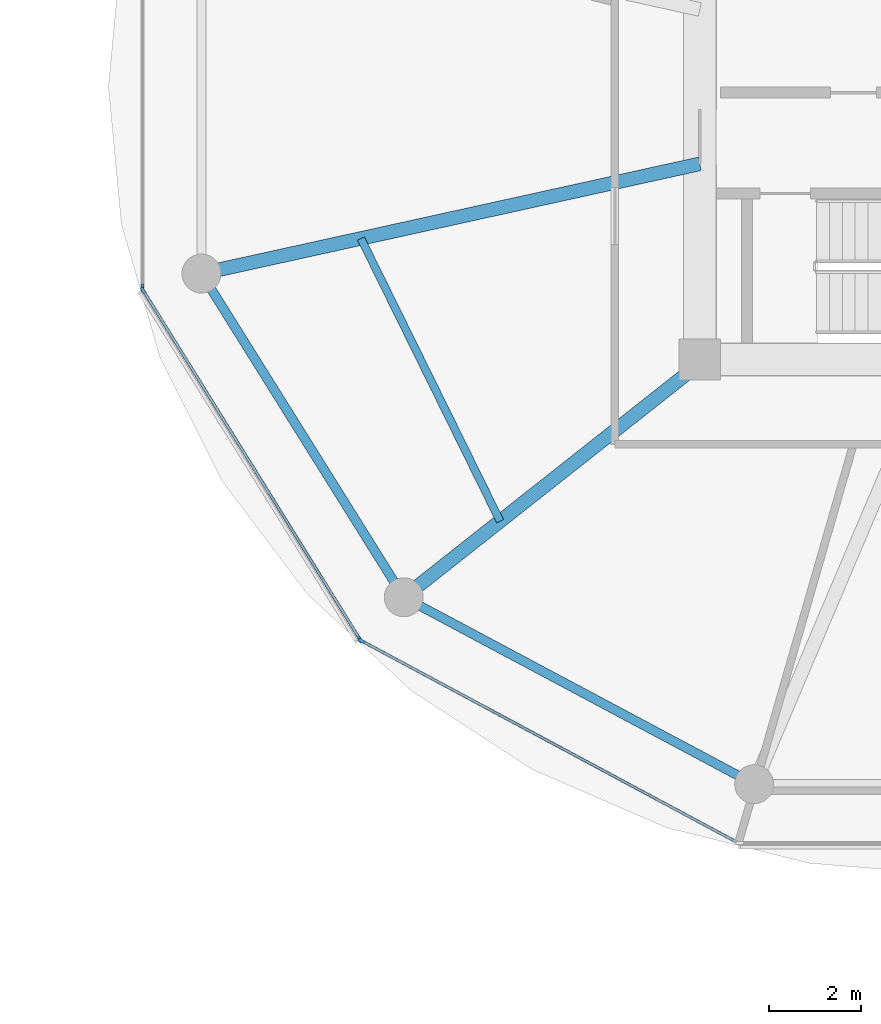
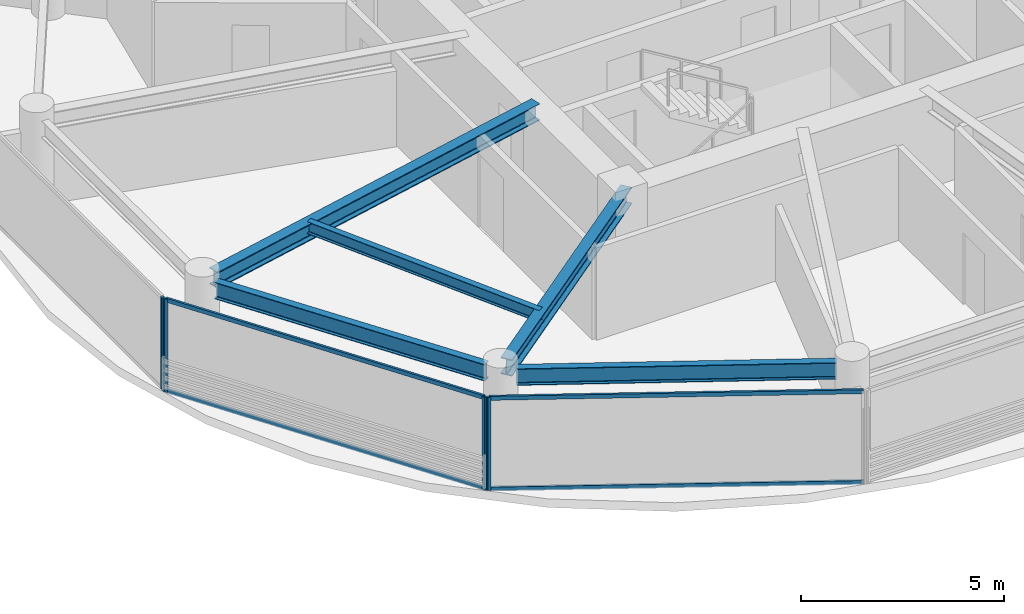
# One storey, part 6 of 24: 8 members, 5 beams, 3 elements without a shape of their own.
"""IFC4 building model written with IfcOpenShell, lengths in metres."""

from ifc_helpers import new_model, si_unit, direction, frame, origin, origin_2d, place, context, subcontext, project, spatial, rectangle, i_section, extrude, source, transform, mapped, material, layer, layer_set, material_profile, profile_set, type_object, type_shapes, element, aggregate, save


model = new_model("IFC4")

# Units and contexts
model_context = context("Model", 3, precision=1e-05, world=origin(), true_north=direction((0.0, 1.0)))
body_context = subcontext(model_context, "Body", "Model", "MODEL_VIEW")
ifc_project = project(units=[si_unit("LENGTHUNIT", "METRE"), si_unit("AREAUNIT", "SQUARE_METRE"), si_unit("VOLUMEUNIT", "CUBIC_METRE"), si_unit("PLANEANGLEUNIT", "RADIAN"), si_unit("MASSUNIT", "GRAM", prefix="KILO")], contexts=[model_context])

# Site, building, storey
site_placement = place(None, origin())
site = spatial("IfcSite", under=ifc_project, at=site_placement, CompositionType="ELEMENT")
building_placement = place(site_placement, origin())
building = spatial("IfcBuilding", under=site, at=building_placement, Name="Norrkilde Senior Care Towers", CompositionType="ELEMENT")
storey_placement = place(building_placement, frame((0.0, 0.0, 111.5)))
storey = spatial("IfcBuildingStorey", under=building, at=storey_placement, Name="L34", CompositionType="ELEMENT", Elevation=111.5)

# Beams
ifc_material_1 = material(Name="Steel S355", Category="steel")
ifc_material_profile_1 = material_profile(ifc_material_1, i_section(OverallWidth=0.199951171875, OverallDepth=0.5, WebThickness=0.01025390625, FlangeThickness=0.01611328125, FilletRadius=0.02099609375, at=origin_2d()), Name="IPE 500")
ifc_profile_set_1 = profile_set([ifc_material_profile_1], Name="Steel S355")
beam_type_1 = type_object("IfcBeamType", Name="Perimeter Ring Spandrel Z2 IPE500", PredefinedType="SPANDREL", material=ifc_profile_set_1)
shared_shape_1 = source(origin(), body_context, "Body", "SweptSolid", [
    extrude(i_section(OverallWidth=0.199951171875, OverallDepth=0.5, WebThickness=0.01025390625, FlangeThickness=0.01611328125, FilletRadius=0.02099609375, at=origin_2d()), origin(), (0.0, 0.0, 1.0), 7.55615234375),
])
beam_1_placement = place(storey_placement, frame((9.68505859375, -4.40283203125, 2.5400390625), z_axis=(0.529981514254, -0.848009194849, 0.0), x_axis=(0.848009194849, 0.529981514254, 0.0)))
element("IfcBeam", 1, at=beam_1_placement, inside=storey, type_object=beam_type_1, Name="L34 Drum E Perimeter Spandrel 07", PredefinedType="SPANDREL", context=body_context, shape_type="MappedRepresentation", body=[
    mapped(shared_shape_1, transform((0.0, 0.0, 0.0), x_axis=(1.0, 0.0, 0.0), y_axis=(0.0, 1.0, 0.0), z_axis=(0.0, 0.0, 1.0), scale=1.0)),
])
ifc_material_profile_2 = material_profile(ifc_material_1, i_section(OverallWidth=0.300048828125, OverallDepth=0.5, WebThickness=0.014404296875, FlangeThickness=0.028076171875, FilletRadius=0.027099609375, at=origin_2d()), Name="HEB 500")
ifc_profile_set_2 = profile_set([ifc_material_profile_2], Name="Steel S355")
beam_type_2 = type_object("IfcBeamType", Name="Radial Floor Beam Z2 HEB500", PredefinedType="BEAM", material=ifc_profile_set_2)
shared_shape_2 = source(origin(), body_context, "Body", "SweptSolid", [
    extrude(i_section(OverallWidth=0.300048828125, OverallDepth=0.5, WebThickness=0.014404296875, FlangeThickness=0.028076171875, FilletRadius=0.027099609375, at=origin_2d()), origin(), (0.0, 0.0, 1.0), 10.744384765625),
])
beam_2_placement = place(storey_placement, frame((20.35009765625, -1.683837890625, 2.5400390625), z_axis=(-0.976618711422, -0.214978818724, 0.0), x_axis=(0.214978818724, -0.976618711422, 0.0)))
element("IfcBeam", 2, at=beam_2_placement, inside=storey, type_object=beam_type_2, Name="L34 Drum E Radial Floor Beam 07", PredefinedType="BEAM", context=body_context, shape_type="MappedRepresentation", body=[
    mapped(shared_shape_2, transform((0.0, 0.0, 0.0), x_axis=(1.0, 0.0, 0.0), y_axis=(0.0, 1.0, 0.0), z_axis=(0.0, 0.0, 1.0), scale=1.0)),
])
shared_shape_3 = source(origin(), body_context, "Body", "SweptSolid", [
    extrude(i_section(OverallWidth=0.199951171875, OverallDepth=0.5, WebThickness=0.01025390625, FlangeThickness=0.01611328125, FilletRadius=0.02099609375, at=origin_2d()), origin(), (0.0, 0.0, 1.0), 7.892333984375),
])
type_shapes(beam_type_1, [shared_shape_1, shared_shape_3])
beam_3_placement = place(storey_placement, frame((14.233642578125, -11.318115234375, 2.5400390625), z_axis=(0.882350372282, -0.47059305194, 0.0), x_axis=(0.47059305194, 0.882350372282, 0.0)))
element("IfcBeam", 3, at=beam_3_placement, inside=storey, type_object=beam_type_1, Name="L34 Drum E Perimeter Spandrel 08", PredefinedType="SPANDREL", context=body_context, shape_type="MappedRepresentation", body=[
    mapped(shared_shape_3, transform((0.0, 0.0, 0.0), x_axis=(1.0, 0.0, 0.0), y_axis=(0.0, 1.0, 0.0), z_axis=(0.0, 0.0, 1.0), scale=1.0)),
])
shared_shape_4 = source(origin(), body_context, "Body", "SweptSolid", [
    extrude(i_section(OverallWidth=0.300048828125, OverallDepth=0.5, WebThickness=0.014404296875, FlangeThickness=0.028076171875, FilletRadius=0.027099609375, at=origin_2d()), origin(), (0.0, 0.0, 1.0), 7.985595703125),
])
type_shapes(beam_type_2, [shared_shape_2, shared_shape_4])
beam_4_placement = place(storey_placement, frame((20.463623046875, -5.949951171875, 2.5400390625), z_axis=(-0.784858505144, -0.619675017169, 0.0), x_axis=(0.619675017169, -0.784858505144, 0.0)))
element("IfcBeam", 4, at=beam_4_placement, inside=storey, type_object=beam_type_2, Name="L34 Drum E Radial Floor Beam 08", PredefinedType="BEAM", context=body_context, shape_type="MappedRepresentation", body=[
    mapped(shared_shape_4, transform((0.0, 0.0, 0.0), x_axis=(1.0, 0.0, 0.0), y_axis=(0.0, 1.0, 0.0), z_axis=(0.0, 0.0, 1.0), scale=1.0)),
])
ifc_material_profile_3 = material_profile(ifc_material_1, i_section(OverallWidth=0.169921875, OverallDepth=0.360107421875, WebThickness=0.008056640625, FlangeThickness=0.0126953125, FilletRadius=0.01806640625, at=origin_2d()), Name="IPE 360")
ifc_profile_set_3 = profile_set([ifc_material_profile_3], Name="Steel S355")
beam_type_3 = type_object("IfcBeamType", Name="Secondary Floor Joist IPE360", PredefinedType="JOIST", material=ifc_profile_set_3)
shared_shape_5 = source(origin(), body_context, "Body", "SweptSolid", [
    extrude(i_section(OverallWidth=0.169921875, OverallDepth=0.360107421875, WebThickness=0.008056640625, FlangeThickness=0.0126953125, FilletRadius=0.01806640625, at=origin_2d()), origin(), (0.0, 0.0, 1.0), 6.87353515625),
])
type_shapes(beam_type_3, [shared_shape_5])
beam_5_placement = place(storey_placement, frame((12.958984375, -3.310791015625, 2.610107421875), z_axis=(0.44184939592, -0.897089243791, 0.0), x_axis=(0.897089243791, 0.44184939592, 0.0)))
element("IfcBeam", 5, at=beam_5_placement, inside=storey, type_object=beam_type_3, Name="L34 Drum E Secondary Floor Joist 3", PredefinedType="JOIST", context=body_context, shape_type="MappedRepresentation", body=[
    mapped(shared_shape_5, transform((0.0, 0.0, 0.0), x_axis=(1.0, 0.0, 0.0), y_axis=(0.0, 1.0, 0.0), z_axis=(0.0, 0.0, 1.0), scale=1.0)),
])

# Curtain wall, member
ifc_material_2 = material(Name="Triple Low-E Insulated Glazing", Category="glass")
ifc_layer = layer(ifc_material_2, 0.195068359375)
ifc_layer_set = layer_set([ifc_layer], Name="Triple Low-E Insulated Glazing")
curtain_wall_type = type_object("IfcCurtainWallType", Name="CW3 Zone 2 Assisted Living Curtain Wall", PredefinedType="NOTDEFINED", material=ifc_layer_set)
curtain_wall_1_placement = place(storey_placement, origin())
curtain_wall_1 = element("IfcCurtainWall", 6, at=curtain_wall_1_placement, inside=storey, type_object=curtain_wall_type, Name="L34 Drum E Curtain Wall 05", PredefinedType="NOTDEFINED")
ifc_material_3 = material(Name="Anodised Aluminium", Category="aluminium")
ifc_material_profile_4 = material_profile(ifc_material_3, rectangle(XDim=0.06494140625, YDim=0.159912109375, at=origin_2d()), Name="ALU MULL 65x160")
ifc_profile_set_4 = profile_set([ifc_material_profile_4], Name="Anodised Aluminium")
member_type_1 = type_object("IfcMemberType", Name="Curtain Wall Mullion Z1-Z2 65x160", PredefinedType="MULLION", material=ifc_profile_set_4)
shared_shape_6 = source(origin(), body_context, "Body", "SweptSolid", [
    extrude(rectangle(XDim=0.06494140625, YDim=0.159912109375, at=origin_2d()), origin(), (0.0, 0.0, 1.0), 2.7900390625),
])
type_shapes(member_type_1, [shared_shape_6])
member_1_placement = place(storey_placement, frame((8.1962890625, -4.38818359375, 0.0), z_axis=(0.0, 0.0, 1.0), x_axis=(-1.0, 0.0, 0.0)))
member_1 = element("IfcMember", 7, at=member_1_placement, type_object=member_type_1, Name="CW-3 mullion 1", PredefinedType="MULLION", context=body_context, shape_type="MappedRepresentation", body=[
    mapped(shared_shape_6, transform((0.0, 0.0, 0.0), x_axis=(1.0, 0.0, 0.0), y_axis=(0.0, 1.0, 0.0), z_axis=(0.0, 0.0, 1.0), scale=1.0)),
])
aggregate(curtain_wall_1, [member_1])

# Curtain wall, members
curtain_wall_2_placement = place(storey_placement, origin())
curtain_wall_2 = element("IfcCurtainWall", 8, at=curtain_wall_2_placement, inside=storey, type_object=curtain_wall_type, Name="L34 Drum E Curtain Wall 06", PredefinedType="NOTDEFINED")
member_2_placement = place(storey_placement, frame((12.936279296875, -12.0498046875, 0.0), z_axis=(0.0, 0.0, 1.0), x_axis=(-0.849410171862, -0.527733228002, 0.0)))
member_2 = element("IfcMember", 9, at=member_2_placement, type_object=member_type_1, Name="CW-3 mullion 1", PredefinedType="MULLION", context=body_context, shape_type="MappedRepresentation", body=[
    mapped(shared_shape_6, transform((0.0, 0.0, 0.0), x_axis=(1.0, 0.0, 0.0), y_axis=(0.0, 1.0, 0.0), z_axis=(0.0, 0.0, 1.0), scale=1.0)),
])
member_3_placement = place(storey_placement, frame((8.21337890625, -4.4482421875, 0.0), z_axis=(0.0, 0.0, 1.0), x_axis=(-0.849410171862, -0.527733228002, 0.0)))
member_3 = element("IfcMember", 10, at=member_3_placement, type_object=member_type_1, Name="CW-3 mullion 2", PredefinedType="MULLION", context=body_context, shape_type="MappedRepresentation", body=[
    mapped(shared_shape_6, transform((0.0, 0.0, 0.0), x_axis=(1.0, 0.0, 0.0), y_axis=(0.0, 1.0, 0.0), z_axis=(0.0, 0.0, 1.0), scale=1.0)),
])

# Curtain wall, member
curtain_wall_3_placement = place(storey_placement, origin())
curtain_wall_3 = element("IfcCurtainWall", 11, at=curtain_wall_3_placement, inside=storey, type_object=curtain_wall_type, Name="L34 Drum E Curtain Wall 07", PredefinedType="NOTDEFINED")
member_4_placement = place(storey_placement, frame((12.98193359375, -12.0927734375, 0.0), z_axis=(0.0, 0.0, 1.0), x_axis=(-0.472769402511, -0.881186184668, 0.0)))
member_4 = element("IfcMember", 12, at=member_4_placement, type_object=member_type_1, Name="CW-3 mullion 2", PredefinedType="MULLION", context=body_context, shape_type="MappedRepresentation", body=[
    mapped(shared_shape_6, transform((0.0, 0.0, 0.0), x_axis=(1.0, 0.0, 0.0), y_axis=(0.0, 1.0, 0.0), z_axis=(0.0, 0.0, 1.0), scale=1.0)),
])

# Member
ifc_material_profile_5 = material_profile(ifc_material_3, rectangle(XDim=0.06005859375, YDim=0.1201171875, at=origin_2d()), Name="ALU TRAN 60x120")
ifc_profile_set_5 = profile_set([ifc_material_profile_5], Name="Anodised Aluminium")
member_type_2 = type_object("IfcMemberType", Name="Curtain Wall Transom Typical 60x120", PredefinedType="USERDEFINED", material=ifc_profile_set_5)
shared_shape_7 = source(origin(), body_context, "Body", "SweptSolid", [
    extrude(rectangle(XDim=0.06005859375, YDim=0.1201171875, at=origin_2d()), origin(), (0.0, 0.0, 1.0), 8.88427734375),
])
member_5_placement = place(storey_placement, frame((12.919189453125, -12.022216796875, 0.030029296875), z_axis=(-0.527749293309, 0.849400190377, 0.0), x_axis=(-0.849400190377, -0.527749293309, 0.0)))
member_5 = element("IfcMember", 13, at=member_5_placement, type_object=member_type_2, Name="CW-3 transom 1.1", ObjectType="TRANSOM", PredefinedType="USERDEFINED", context=body_context, shape_type="MappedRepresentation", body=[
    mapped(shared_shape_7, transform((0.0, 0.0, 0.0), x_axis=(1.0, 0.0, 0.0), y_axis=(0.0, 1.0, 0.0), z_axis=(0.0, 0.0, 1.0), scale=1.0)),
])

member_6_placement = place(storey_placement, frame((12.919189453125, -12.022216796875, 2.760009765625), z_axis=(-0.527749293309, 0.849400190377, 0.0), x_axis=(-0.849400190377, -0.527749293309, 0.0)))
member_6 = element("IfcMember", 14, at=member_6_placement, type_object=member_type_2, Name="CW-3 transom 1.2", ObjectType="TRANSOM", PredefinedType="USERDEFINED", context=body_context, shape_type="MappedRepresentation", body=[
    mapped(shared_shape_7, transform((0.0, 0.0, 0.0), x_axis=(1.0, 0.0, 0.0), y_axis=(0.0, 1.0, 0.0), z_axis=(0.0, 0.0, 1.0), scale=1.0)),
])

aggregate(curtain_wall_2, [member_2, member_3, member_5, member_6])

shared_shape_8 = source(origin(), body_context, "Body", "SweptSolid", [
    extrude(rectangle(XDim=0.06005859375, YDim=0.1201171875, at=origin_2d()), origin(), (0.0, 0.0, 1.0), 9.220458984375),
])
type_shapes(member_type_2, [shared_shape_7, shared_shape_8])
member_7_placement = place(storey_placement, frame((21.1357421875, -16.46728515625, 0.030029296875), z_axis=(-0.881188517866, 0.472765053681, 0.0), x_axis=(-0.472765053681, -0.881188517866, 0.0)))
member_7 = element("IfcMember", 15, at=member_7_placement, type_object=member_type_2, Name="CW-3 transom 1.1", ObjectType="TRANSOM", PredefinedType="USERDEFINED", context=body_context, shape_type="MappedRepresentation", body=[
    mapped(shared_shape_8, transform((0.0, 0.0, 0.0), x_axis=(1.0, 0.0, 0.0), y_axis=(0.0, 1.0, 0.0), z_axis=(0.0, 0.0, 1.0), scale=1.0)),
])

member_8_placement = place(storey_placement, frame((21.1357421875, -16.46728515625, 2.760009765625), z_axis=(-0.881188517866, 0.472765053681, 0.0), x_axis=(-0.472765053681, -0.881188517866, 0.0)))
member_8 = element("IfcMember", 16, at=member_8_placement, type_object=member_type_2, Name="CW-3 transom 1.2", ObjectType="TRANSOM", PredefinedType="USERDEFINED", context=body_context, shape_type="MappedRepresentation", body=[
    mapped(shared_shape_8, transform((0.0, 0.0, 0.0), x_axis=(1.0, 0.0, 0.0), y_axis=(0.0, 1.0, 0.0), z_axis=(0.0, 0.0, 1.0), scale=1.0)),
])

aggregate(curtain_wall_3, [member_4, member_7, member_8])

save(model, "model.ifc")
